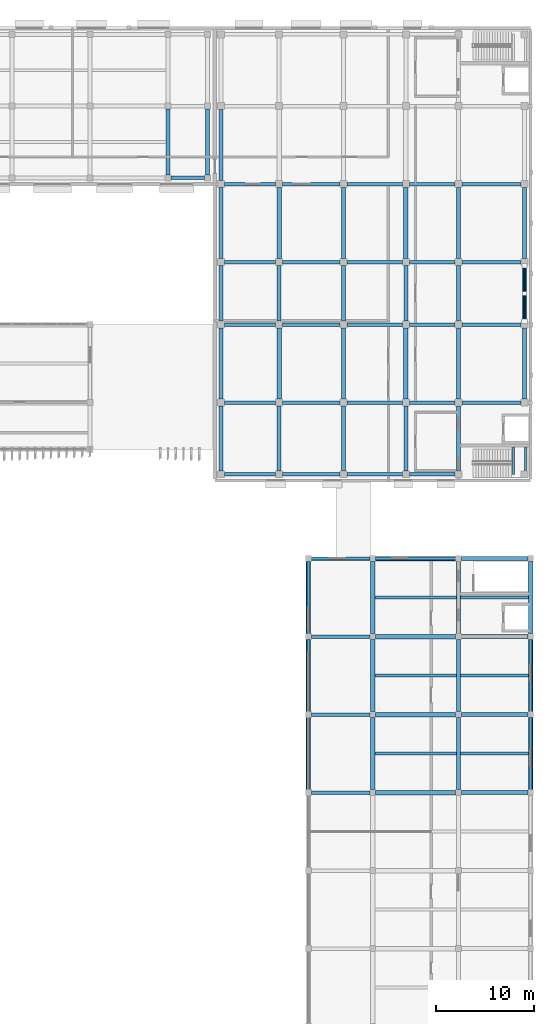
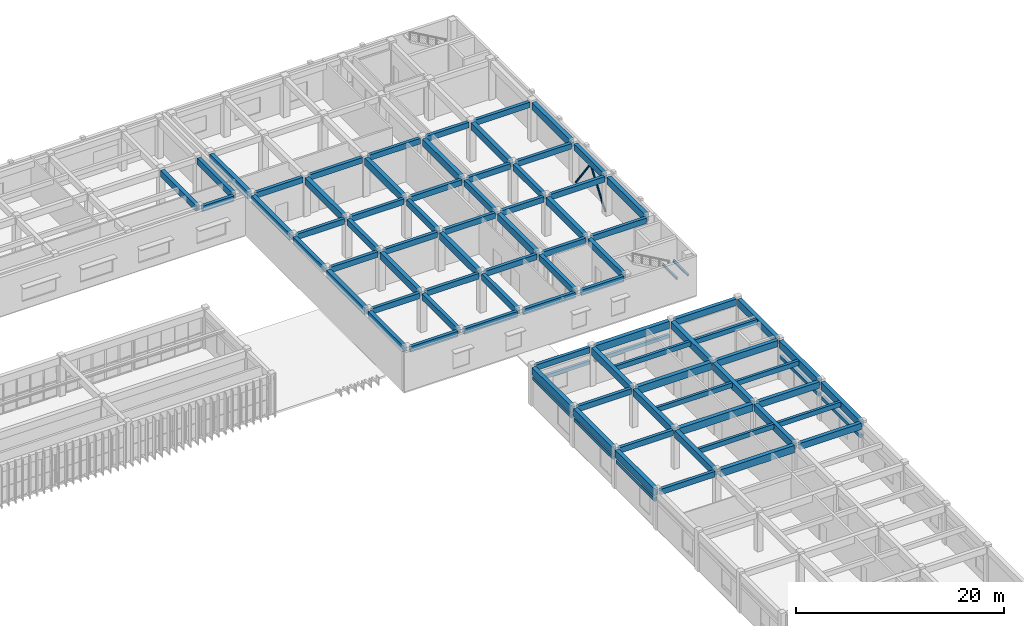
# One storey, part 41 of 76: 90 beams, 2 members.
"""IFC4 building model written with IfcOpenShell, lengths in metres."""

from ifc_helpers import new_model, si_unit, direction, frame, origin, origin_2d, place, context, subcontext, project, spatial, rectangle, hollow_circle, i_section, extrude, material, material_profile, profile_set, type_object, element, save


model = new_model("IFC4")

# Units and contexts
model_context = context("Model", 3, precision=1e-05, world=origin(), true_north=direction((0.0, 1.0)))
body_context = subcontext(model_context, "Body", "Model", "MODEL_VIEW")
ifc_project = project(units=[si_unit("LENGTHUNIT", "METRE"), si_unit("AREAUNIT", "SQUARE_METRE"), si_unit("VOLUMEUNIT", "CUBIC_METRE"), si_unit("PLANEANGLEUNIT", "RADIAN"), si_unit("MASSUNIT", "GRAM", prefix="KILO")], contexts=[model_context])

# Site, building, storey
site_placement = place(None, origin())
site = spatial("IfcSite", under=ifc_project, at=site_placement, CompositionType="ELEMENT")
building_placement = place(site_placement, origin())
building = spatial("IfcBuilding", under=site, at=building_placement, Name="Cinchona Park Media Centre", CompositionType="ELEMENT")
storey_placement = place(building_placement, frame((0.0, 0.0, 15.60009765625)))
storey = spatial("IfcBuildingStorey", under=building, at=storey_placement, Name="L03", CompositionType="ELEMENT", Elevation=15.60009765625)

# Beams
ifc_material_1 = material(Name="Concrete C35/45", Category="concrete")
ifc_material_profile_1 = material_profile(ifc_material_1, rectangle(XDim=0.39990234375, YDim=0.75, at=origin_2d()), Name="RB 400X750")
ifc_profile_set_1 = profile_set([ifc_material_profile_1], Name="Concrete C35/45")
beam_type_1 = type_object("IfcBeamType", Name="BEAM-B01-RB400X750", PredefinedType="BEAM", material=ifc_profile_set_1)
for number, where, z_axis, x_axis, name in (
    (1, (134.800048828125, 102.93994140625, 4.179931640625), (0.0, 1.0, 0.0), (-1.0, 0.0, 0.0), "Girder B01 L03"),
    (2, (138.860107421875, 102.93994140625, 4.179931640625), (0.0, 1.0, 0.0), (-1.0, 0.0, 0.0), "Girder B01 L03"),
):
    element("IfcBeam", number, at=place(storey_placement, frame(where, z_axis=z_axis, x_axis=x_axis)), inside=storey, type_object=beam_type_1, Name=name, PredefinedType="BEAM", context=body_context, shape_type="SweptSolid", body=[
        extrude(rectangle(XDim=0.39990234375, YDim=0.75, at=origin_2d()), origin(), (0.0, 0.0, 1.0), 6.760009765625),
    ])
for number, where, z_axis, x_axis, name in (
    (3, (164.89990234375, 39.60009765625, 4.179931640625), (1.0, 0.0, 0.0), (0.0, 1.0, 0.0), "Beam B01 L03"),
    (4, (164.89990234375, 47.60009765625, 4.179931640625), (1.0, 0.0, 0.0), (0.0, 1.0, 0.0), "Beam B01 L03"),
    (5, (164.89990234375, 55.60009765625, 4.179931640625), (1.0, 0.0, 0.0), (0.0, 1.0, 0.0), "Beam B01 L03"),
    (6, (164.89990234375, 63.60009765625, 4.179931640625), (1.0, 0.0, 0.0), (0.0, 1.0, 0.0), "Beam B01 L03"),
):
    element("IfcBeam", number, at=place(storey_placement, frame(where, z_axis=z_axis, x_axis=x_axis)), inside=storey, type_object=beam_type_1, Name=name, PredefinedType="BEAM", context=body_context, shape_type="SweptSolid", body=[
        extrude(rectangle(XDim=0.39990234375, YDim=0.75, at=origin_2d()), origin(), (0.0, 0.0, 1.0), 6.800048828125),
    ])
beam_1_placement = place(storey_placement, frame((140.239990234375, 72.590087890625, 4.204833984375), z_axis=(0.0, 1.0, 0.0), x_axis=(-1.0, 0.0, 0.0)))
element("IfcBeam", 7, at=beam_1_placement, inside=storey, type_object=beam_type_1, Name="Girder B01 L03", PredefinedType="BEAM", context=body_context, shape_type="SweptSolid", body=[
    extrude(rectangle(XDim=0.39990234375, YDim=0.75, at=origin_2d()), origin(), (0.0, 0.0, 1.0), 6.659912109375),
])
beam_2_placement = place(storey_placement, frame((140.239990234375, 87.949951171875, 4.204833984375), z_axis=(0.0, 1.0, 0.0), x_axis=(-1.0, 0.0, 0.0)))
element("IfcBeam", 8, at=beam_2_placement, inside=storey, type_object=beam_type_1, Name="Girder B01 L03", PredefinedType="BEAM", context=body_context, shape_type="SweptSolid", body=[
    extrude(rectangle(XDim=0.39990234375, YDim=0.75, at=origin_2d()), origin(), (0.0, 0.0, 1.0), 5.699951171875),
])
beam_3_placement = place(storey_placement, frame((146.199951171875, 72.590087890625, 4.204833984375), z_axis=(0.0, 1.0, 0.0), x_axis=(-1.0, 0.0, 0.0)))
element("IfcBeam", 9, at=beam_3_placement, inside=storey, type_object=beam_type_1, Name="Girder B01 L03", PredefinedType="BEAM", context=body_context, shape_type="SweptSolid", body=[
    extrude(rectangle(XDim=0.39990234375, YDim=0.75, at=origin_2d()), origin(), (0.0, 0.0, 1.0), 6.659912109375),
])
beam_4_placement = place(storey_placement, frame((146.199951171875, 87.949951171875, 4.204833984375), z_axis=(0.0, 1.0, 0.0), x_axis=(-1.0, 0.0, 0.0)))
element("IfcBeam", 10, at=beam_4_placement, inside=storey, type_object=beam_type_1, Name="Girder B01 L03", PredefinedType="BEAM", context=body_context, shape_type="SweptSolid", body=[
    extrude(rectangle(XDim=0.39990234375, YDim=0.75, at=origin_2d()), origin(), (0.0, 0.0, 1.0), 5.699951171875),
])
beam_5_placement = place(storey_placement, frame((152.800048828125, 72.590087890625, 4.204833984375), z_axis=(0.0, 1.0, 0.0), x_axis=(-1.0, 0.0, 0.0)))
element("IfcBeam", 11, at=beam_5_placement, inside=storey, type_object=beam_type_1, Name="Girder B01 L03", PredefinedType="BEAM", context=body_context, shape_type="SweptSolid", body=[
    extrude(rectangle(XDim=0.39990234375, YDim=0.75, at=origin_2d()), origin(), (0.0, 0.0, 1.0), 6.659912109375),
])
beam_6_placement = place(storey_placement, frame((152.800048828125, 87.949951171875, 4.204833984375), z_axis=(0.0, 1.0, 0.0), x_axis=(-1.0, 0.0, 0.0)))
element("IfcBeam", 12, at=beam_6_placement, inside=storey, type_object=beam_type_1, Name="Girder B01 L03", PredefinedType="BEAM", context=body_context, shape_type="SweptSolid", body=[
    extrude(rectangle(XDim=0.39990234375, YDim=0.75, at=origin_2d()), origin(), (0.0, 0.0, 1.0), 5.699951171875),
])
beam_7_placement = place(storey_placement, frame((159.199951171875, 72.590087890625, 4.204833984375), z_axis=(0.0, 1.0, 0.0), x_axis=(-1.0, 0.0, 0.0)))
element("IfcBeam", 13, at=beam_7_placement, inside=storey, type_object=beam_type_1, Name="Girder B01 L03", PredefinedType="BEAM", context=body_context, shape_type="SweptSolid", body=[
    extrude(rectangle(XDim=0.39990234375, YDim=0.75, at=origin_2d()), origin(), (0.0, 0.0, 1.0), 6.659912109375),
])
beam_8_placement = place(storey_placement, frame((159.199951171875, 87.949951171875, 4.204833984375), z_axis=(0.0, 1.0, 0.0), x_axis=(-1.0, 0.0, 0.0)))
element("IfcBeam", 14, at=beam_8_placement, inside=storey, type_object=beam_type_1, Name="Girder B01 L03", PredefinedType="BEAM", context=body_context, shape_type="SweptSolid", body=[
    extrude(rectangle(XDim=0.39990234375, YDim=0.75, at=origin_2d()), origin(), (0.0, 0.0, 1.0), 5.699951171875),
])
beam_9_placement = place(storey_placement, frame((164.60009765625, 72.590087890625, 4.204833984375), z_axis=(0.0, 1.0, 0.0), x_axis=(-1.0, 0.0, 0.0)))
element("IfcBeam", 15, at=beam_9_placement, inside=storey, type_object=beam_type_1, Name="Girder B01 L03", PredefinedType="BEAM", context=body_context, shape_type="SweptSolid", body=[
    extrude(rectangle(XDim=0.39990234375, YDim=0.75, at=origin_2d()), origin(), (0.0, 0.0, 1.0), 6.659912109375),
])
for number, where, z_axis, x_axis, name in (
    (16, (164.60009765625, 87.949951171875, 4.204833984375), (0.0, 1.0, 0.0), (-1.0, 0.0, 0.0), "Girder B01 L03"),
    (17, (171.360107421875, 87.949951171875, 4.204833984375), (0.0, 1.0, 0.0), (-1.0, 0.0, 0.0), "Girder B01 L03"),
):
    element("IfcBeam", number, at=place(storey_placement, frame(where, z_axis=z_axis, x_axis=x_axis)), inside=storey, type_object=beam_type_1, Name=name, PredefinedType="BEAM", context=body_context, shape_type="SweptSolid", body=[
        extrude(rectangle(XDim=0.39990234375, YDim=0.75, at=origin_2d()), origin(), (0.0, 0.0, 1.0), 5.699951171875),
    ])
ifc_material_2 = material(Name="Concrete C35/45", Category="concrete")
ifc_material_profile_2 = material_profile(ifc_material_2, rectangle(XDim=0.449951171875, YDim=0.85009765625, at=origin_2d()), Name="RB 450X850")
ifc_profile_set_2 = profile_set([ifc_material_profile_2], Name="Concrete C35/45")
beam_type_2 = type_object("IfcBeamType", Name="BEAM-B02-RB450X850", PredefinedType="BEAM", material=ifc_profile_set_2)
for number, where, z_axis, x_axis, name in (
    (18, (156.10009765625, 39.60009765625, 4.1298828125), (1.0, 0.0, 0.0), (0.0, 1.0, 0.0), "Beam B02 L03"),
    (19, (156.10009765625, 47.60009765625, 4.1298828125), (1.0, 0.0, 0.0), (0.0, 1.0, 0.0), "Beam B02 L03"),
    (20, (156.10009765625, 55.60009765625, 4.1298828125), (1.0, 0.0, 0.0), (0.0, 1.0, 0.0), "Beam B02 L03"),
    (21, (156.10009765625, 63.60009765625, 4.1298828125), (1.0, 0.0, 0.0), (0.0, 1.0, 0.0), "Beam B02 L03"),
):
    element("IfcBeam", number, at=place(storey_placement, frame(where, z_axis=z_axis, x_axis=x_axis)), inside=storey, type_object=beam_type_2, Name=name, PredefinedType="BEAM", context=body_context, shape_type="SweptSolid", body=[
        extrude(rectangle(XDim=0.449951171875, YDim=0.85009765625, at=origin_2d()), origin(), (0.0, 0.0, 1.0), 8.199951171875),
    ])
for number, where, z_axis, x_axis, name in (
    (22, (149.199951171875, 39.89990234375, 4.1298828125), (0.0, 1.0, 0.0), (-1.0, 0.0, 0.0), "Girder B02 L03"),
    (23, (149.199951171875, 47.89990234375, 4.1298828125), (0.0, 1.0, 0.0), (-1.0, 0.0, 0.0), "Girder B02 L03"),
    (24, (149.199951171875, 55.89990234375, 4.1298828125), (0.0, 1.0, 0.0), (-1.0, 0.0, 0.0), "Girder B02 L03"),
    (25, (155.800048828125, 39.89990234375, 4.1298828125), (0.0, 1.0, 0.0), (-1.0, 0.0, 0.0), "Girder B02 L03"),
    (26, (155.800048828125, 47.89990234375, 4.1298828125), (0.0, 1.0, 0.0), (-1.0, 0.0, 0.0), "Girder B02 L03"),
    (27, (155.800048828125, 55.89990234375, 4.1298828125), (0.0, 1.0, 0.0), (-1.0, 0.0, 0.0), "Girder B02 L03"),
    (28, (164.60009765625, 39.89990234375, 4.1298828125), (0.0, 1.0, 0.0), (-1.0, 0.0, 0.0), "Girder B02 L03"),
    (29, (164.60009765625, 47.89990234375, 4.1298828125), (0.0, 1.0, 0.0), (-1.0, 0.0, 0.0), "Girder B02 L03"),
    (30, (164.60009765625, 55.89990234375, 4.1298828125), (0.0, 1.0, 0.0), (-1.0, 0.0, 0.0), "Girder B02 L03"),
    (31, (172.0, 39.89990234375, 4.1298828125), (0.0, 1.0, 0.0), (-1.0, 0.0, 0.0), "Girder B02 L03"),
    (32, (172.0, 47.89990234375, 4.1298828125), (0.0, 1.0, 0.0), (-1.0, 0.0, 0.0), "Girder B02 L03"),
    (33, (172.0, 55.89990234375, 4.1298828125), (0.0, 1.0, 0.0), (-1.0, 0.0, 0.0), "Girder B02 L03"),
):
    element("IfcBeam", number, at=place(storey_placement, frame(where, z_axis=z_axis, x_axis=x_axis)), inside=storey, type_object=beam_type_2, Name=name, PredefinedType="BEAM", context=body_context, shape_type="SweptSolid", body=[
        extrude(rectangle(XDim=0.449951171875, YDim=0.85009765625, at=origin_2d()), origin(), (0.0, 0.0, 1.0), 7.400146484375),
    ])
beam_10_placement = place(storey_placement, frame((140.239990234375, 79.949951171875, 4.15478515625), z_axis=(0.0, 1.0, 0.0), x_axis=(-1.0, 0.0, 0.0)))
element("IfcBeam", 34, at=beam_10_placement, inside=storey, type_object=beam_type_2, Name="Girder B02 L03", PredefinedType="BEAM", context=body_context, shape_type="SweptSolid", body=[
    extrude(rectangle(XDim=0.449951171875, YDim=0.85009765625, at=origin_2d()), origin(), (0.0, 0.0, 1.0), 7.300048828125),
])
for number, where, z_axis, x_axis, name in (
    (35, (140.239990234375, 94.35009765625, 4.15478515625), (0.0, 1.0, 0.0), (-1.0, 0.0, 0.0), "Girder B02 L03"),
    (36, (140.239990234375, 102.35009765625, 4.15478515625), (0.0, 1.0, 0.0), (-1.0, 0.0, 0.0), "Girder B02 L03"),
):
    element("IfcBeam", number, at=place(storey_placement, frame(where, z_axis=z_axis, x_axis=x_axis)), inside=storey, type_object=beam_type_2, Name=name, PredefinedType="BEAM", context=body_context, shape_type="SweptSolid", body=[
        extrude(rectangle(XDim=0.449951171875, YDim=0.85009765625, at=origin_2d()), origin(), (0.0, 0.0, 1.0), 7.2998046875),
    ])
beam_11_placement = place(storey_placement, frame((146.199951171875, 79.949951171875, 4.15478515625), z_axis=(0.0, 1.0, 0.0), x_axis=(-1.0, 0.0, 0.0)))
element("IfcBeam", 37, at=beam_11_placement, inside=storey, type_object=beam_type_2, Name="Girder B02 L03", PredefinedType="BEAM", context=body_context, shape_type="SweptSolid", body=[
    extrude(rectangle(XDim=0.449951171875, YDim=0.85009765625, at=origin_2d()), origin(), (0.0, 0.0, 1.0), 7.300048828125),
])
beam_12_placement = place(storey_placement, frame((146.199951171875, 94.35009765625, 4.15478515625), z_axis=(0.0, 1.0, 0.0), x_axis=(-1.0, 0.0, 0.0)))
element("IfcBeam", 38, at=beam_12_placement, inside=storey, type_object=beam_type_2, Name="Girder B02 L03", PredefinedType="BEAM", context=body_context, shape_type="SweptSolid", body=[
    extrude(rectangle(XDim=0.449951171875, YDim=0.85009765625, at=origin_2d()), origin(), (0.0, 0.0, 1.0), 7.2998046875),
])
beam_13_placement = place(storey_placement, frame((152.800048828125, 79.949951171875, 4.15478515625), z_axis=(0.0, 1.0, 0.0), x_axis=(-1.0, 0.0, 0.0)))
element("IfcBeam", 39, at=beam_13_placement, inside=storey, type_object=beam_type_2, Name="Girder B02 L03", PredefinedType="BEAM", context=body_context, shape_type="SweptSolid", body=[
    extrude(rectangle(XDim=0.449951171875, YDim=0.85009765625, at=origin_2d()), origin(), (0.0, 0.0, 1.0), 7.300048828125),
])
beam_14_placement = place(storey_placement, frame((152.800048828125, 94.35009765625, 4.15478515625), z_axis=(0.0, 1.0, 0.0), x_axis=(-1.0, 0.0, 0.0)))
element("IfcBeam", 40, at=beam_14_placement, inside=storey, type_object=beam_type_2, Name="Girder B02 L03", PredefinedType="BEAM", context=body_context, shape_type="SweptSolid", body=[
    extrude(rectangle(XDim=0.449951171875, YDim=0.85009765625, at=origin_2d()), origin(), (0.0, 0.0, 1.0), 7.2998046875),
])
beam_15_placement = place(storey_placement, frame((159.199951171875, 79.949951171875, 4.15478515625), z_axis=(0.0, 1.0, 0.0), x_axis=(-1.0, 0.0, 0.0)))
element("IfcBeam", 41, at=beam_15_placement, inside=storey, type_object=beam_type_2, Name="Girder B02 L03", PredefinedType="BEAM", context=body_context, shape_type="SweptSolid", body=[
    extrude(rectangle(XDim=0.449951171875, YDim=0.85009765625, at=origin_2d()), origin(), (0.0, 0.0, 1.0), 7.300048828125),
])
beam_16_placement = place(storey_placement, frame((159.199951171875, 94.35009765625, 4.15478515625), z_axis=(0.0, 1.0, 0.0), x_axis=(-1.0, 0.0, 0.0)))
element("IfcBeam", 42, at=beam_16_placement, inside=storey, type_object=beam_type_2, Name="Girder B02 L03", PredefinedType="BEAM", context=body_context, shape_type="SweptSolid", body=[
    extrude(rectangle(XDim=0.449951171875, YDim=0.85009765625, at=origin_2d()), origin(), (0.0, 0.0, 1.0), 7.2998046875),
])
beam_17_placement = place(storey_placement, frame((164.60009765625, 79.949951171875, 4.15478515625), z_axis=(0.0, 1.0, 0.0), x_axis=(-1.0, 0.0, 0.0)))
element("IfcBeam", 43, at=beam_17_placement, inside=storey, type_object=beam_type_2, Name="Girder B02 L03", PredefinedType="BEAM", context=body_context, shape_type="SweptSolid", body=[
    extrude(rectangle(XDim=0.449951171875, YDim=0.85009765625, at=origin_2d()), origin(), (0.0, 0.0, 1.0), 7.300048828125),
])
beam_18_placement = place(storey_placement, frame((164.60009765625, 94.35009765625, 4.15478515625), z_axis=(0.0, 1.0, 0.0), x_axis=(-1.0, 0.0, 0.0)))
element("IfcBeam", 44, at=beam_18_placement, inside=storey, type_object=beam_type_2, Name="Girder B02 L03", PredefinedType="BEAM", context=body_context, shape_type="SweptSolid", body=[
    extrude(rectangle(XDim=0.449951171875, YDim=0.85009765625, at=origin_2d()), origin(), (0.0, 0.0, 1.0), 7.2998046875),
])
beam_19_placement = place(storey_placement, frame((171.360107421875, 79.949951171875, 4.15478515625), z_axis=(0.0, 1.0, 0.0), x_axis=(-1.0, 0.0, 0.0)))
element("IfcBeam", 45, at=beam_19_placement, inside=storey, type_object=beam_type_2, Name="Girder B02 L03", PredefinedType="BEAM", context=body_context, shape_type="SweptSolid", body=[
    extrude(rectangle(XDim=0.449951171875, YDim=0.85009765625, at=origin_2d()), origin(), (0.0, 0.0, 1.0), 7.300048828125),
])
beam_20_placement = place(storey_placement, frame((171.360107421875, 94.35009765625, 4.15478515625), z_axis=(0.0, 1.0, 0.0), x_axis=(-1.0, 0.0, 0.0)))
element("IfcBeam", 46, at=beam_20_placement, inside=storey, type_object=beam_type_2, Name="Girder B02 L03", PredefinedType="BEAM", context=body_context, shape_type="SweptSolid", body=[
    extrude(rectangle(XDim=0.449951171875, YDim=0.85009765625, at=origin_2d()), origin(), (0.0, 0.0, 1.0), 7.2998046875),
])
ifc_material_3 = material(Name="Concrete C35/45", Category="concrete")
ifc_material_profile_3 = material_profile(ifc_material_3, rectangle(XDim=0.35009765625, YDim=0.64990234375, at=origin_2d()), Name="RB 350X650")
ifc_profile_set_3 = profile_set([ifc_material_profile_3], Name="Concrete C35/45")
beam_type_3 = type_object("IfcBeamType", Name="BEAM-B04-RB350X650", PredefinedType="BEAM", material=ifc_profile_set_3)
beam_21_placement = place(storey_placement, frame((135.10009765625, 102.639892578125, 4.22998046875), z_axis=(1.0, 0.0, 0.0), x_axis=(0.0, 1.0, 0.0)))
element("IfcBeam", 47, at=beam_21_placement, inside=storey, type_object=beam_type_3, Name="Beam B04 L03", PredefinedType="BEAM", context=body_context, shape_type="SweptSolid", body=[
    extrude(rectangle(XDim=0.35009765625, YDim=0.64990234375, at=origin_2d()), origin(), (0.0, 0.0, 1.0), 3.4599609375),
])
for number, where, z_axis, x_axis, name in (
    (48, (149.5, 39.60009765625, 4.22998046875), (1.0, 0.0, 0.0), (0.0, 1.0, 0.0), "Beam B04 L03"),
    (49, (149.5, 47.60009765625, 4.22998046875), (1.0, 0.0, 0.0), (0.0, 1.0, 0.0), "Beam B04 L03"),
    (50, (149.5, 55.60009765625, 4.22998046875), (1.0, 0.0, 0.0), (0.0, 1.0, 0.0), "Beam B04 L03"),
    (51, (149.5, 63.60009765625, 4.22998046875), (1.0, 0.0, 0.0), (0.0, 1.0, 0.0), "Beam B04 L03"),
):
    element("IfcBeam", number, at=place(storey_placement, frame(where, z_axis=z_axis, x_axis=x_axis)), inside=storey, type_object=beam_type_3, Name=name, PredefinedType="BEAM", context=body_context, shape_type="SweptSolid", body=[
        extrude(rectangle(XDim=0.35009765625, YDim=0.64990234375, at=origin_2d()), origin(), (0.0, 0.0, 1.0), 6.0),
    ])
beam_22_placement = place(storey_placement, frame((140.590087890625, 72.239990234375, 4.2548828125), z_axis=(1.0, 0.0, 0.0), x_axis=(0.0, 1.0, 0.0)))
element("IfcBeam", 52, at=beam_22_placement, inside=storey, type_object=beam_type_3, Name="Beam B04 L03", PredefinedType="BEAM", context=body_context, shape_type="SweptSolid", body=[
    extrude(rectangle(XDim=0.35009765625, YDim=0.64990234375, at=origin_2d()), origin(), (0.0, 0.0, 1.0), 5.260009765625),
])
beam_23_placement = place(storey_placement, frame((146.550048828125, 72.239990234375, 4.2548828125), z_axis=(1.0, 0.0, 0.0), x_axis=(0.0, 1.0, 0.0)))
element("IfcBeam", 53, at=beam_23_placement, inside=storey, type_object=beam_type_3, Name="Beam B04 L03", PredefinedType="BEAM", context=body_context, shape_type="SweptSolid", body=[
    extrude(rectangle(XDim=0.35009765625, YDim=0.64990234375, at=origin_2d()), origin(), (0.0, 0.0, 1.0), 5.89990234375),
])
beam_24_placement = place(storey_placement, frame((153.14990234375, 72.239990234375, 4.2548828125), z_axis=(1.0, 0.0, 0.0), x_axis=(0.0, 1.0, 0.0)))
element("IfcBeam", 54, at=beam_24_placement, inside=storey, type_object=beam_type_3, Name="Beam B04 L03", PredefinedType="BEAM", context=body_context, shape_type="SweptSolid", body=[
    extrude(rectangle(XDim=0.35009765625, YDim=0.64990234375, at=origin_2d()), origin(), (0.0, 0.0, 1.0), 5.7001953125),
])
beam_25_placement = place(storey_placement, frame((159.550048828125, 72.239990234375, 4.2548828125), z_axis=(1.0, 0.0, 0.0), x_axis=(0.0, 1.0, 0.0)))
element("IfcBeam", 55, at=beam_25_placement, inside=storey, type_object=beam_type_3, Name="Beam B04 L03", PredefinedType="BEAM", context=body_context, shape_type="SweptSolid", body=[
    extrude(rectangle(XDim=0.35009765625, YDim=0.64990234375, at=origin_2d()), origin(), (0.0, 0.0, 1.0), 4.699951171875),
])
beam_26_placement = place(storey_placement, frame((140.590087890625, 79.60009765625, 4.2548828125), z_axis=(1.0, 0.0, 0.0), x_axis=(0.0, 1.0, 0.0)))
element("IfcBeam", 56, at=beam_26_placement, inside=storey, type_object=beam_type_3, Name="Beam B04 L03", PredefinedType="BEAM", context=body_context, shape_type="SweptSolid", body=[
    extrude(rectangle(XDim=0.35009765625, YDim=0.64990234375, at=origin_2d()), origin(), (0.0, 0.0, 1.0), 5.260009765625),
])
beam_27_placement = place(storey_placement, frame((146.550048828125, 79.60009765625, 4.2548828125), z_axis=(1.0, 0.0, 0.0), x_axis=(0.0, 1.0, 0.0)))
element("IfcBeam", 57, at=beam_27_placement, inside=storey, type_object=beam_type_3, Name="Beam B04 L03", PredefinedType="BEAM", context=body_context, shape_type="SweptSolid", body=[
    extrude(rectangle(XDim=0.35009765625, YDim=0.64990234375, at=origin_2d()), origin(), (0.0, 0.0, 1.0), 5.89990234375),
])
beam_28_placement = place(storey_placement, frame((153.14990234375, 79.60009765625, 4.2548828125), z_axis=(1.0, 0.0, 0.0), x_axis=(0.0, 1.0, 0.0)))
element("IfcBeam", 58, at=beam_28_placement, inside=storey, type_object=beam_type_3, Name="Beam B04 L03", PredefinedType="BEAM", context=body_context, shape_type="SweptSolid", body=[
    extrude(rectangle(XDim=0.35009765625, YDim=0.64990234375, at=origin_2d()), origin(), (0.0, 0.0, 1.0), 5.7001953125),
])
beam_29_placement = place(storey_placement, frame((159.550048828125, 79.60009765625, 4.2548828125), z_axis=(1.0, 0.0, 0.0), x_axis=(0.0, 1.0, 0.0)))
element("IfcBeam", 59, at=beam_29_placement, inside=storey, type_object=beam_type_3, Name="Beam B04 L03", PredefinedType="BEAM", context=body_context, shape_type="SweptSolid", body=[
    extrude(rectangle(XDim=0.35009765625, YDim=0.64990234375, at=origin_2d()), origin(), (0.0, 0.0, 1.0), 4.699951171875),
])
beam_30_placement = place(storey_placement, frame((164.949951171875, 79.60009765625, 4.2548828125), z_axis=(1.0, 0.0, 0.0), x_axis=(0.0, 1.0, 0.0)))
element("IfcBeam", 60, at=beam_30_placement, inside=storey, type_object=beam_type_3, Name="Beam B04 L03", PredefinedType="BEAM", context=body_context, shape_type="SweptSolid", body=[
    extrude(rectangle(XDim=0.35009765625, YDim=0.64990234375, at=origin_2d()), origin(), (0.0, 0.0, 1.0), 6.06005859375),
])
beam_31_placement = place(storey_placement, frame((140.590087890625, 87.60009765625, 4.2548828125), z_axis=(1.0, 0.0, 0.0), x_axis=(0.0, 1.0, 0.0)))
element("IfcBeam", 61, at=beam_31_placement, inside=storey, type_object=beam_type_3, Name="Beam B04 L03", PredefinedType="BEAM", context=body_context, shape_type="SweptSolid", body=[
    extrude(rectangle(XDim=0.35009765625, YDim=0.64990234375, at=origin_2d()), origin(), (0.0, 0.0, 1.0), 5.260009765625),
])
beam_32_placement = place(storey_placement, frame((146.550048828125, 87.60009765625, 4.2548828125), z_axis=(1.0, 0.0, 0.0), x_axis=(0.0, 1.0, 0.0)))
element("IfcBeam", 62, at=beam_32_placement, inside=storey, type_object=beam_type_3, Name="Beam B04 L03", PredefinedType="BEAM", context=body_context, shape_type="SweptSolid", body=[
    extrude(rectangle(XDim=0.35009765625, YDim=0.64990234375, at=origin_2d()), origin(), (0.0, 0.0, 1.0), 5.89990234375),
])
beam_33_placement = place(storey_placement, frame((153.14990234375, 87.60009765625, 4.2548828125), z_axis=(1.0, 0.0, 0.0), x_axis=(0.0, 1.0, 0.0)))
element("IfcBeam", 63, at=beam_33_placement, inside=storey, type_object=beam_type_3, Name="Beam B04 L03", PredefinedType="BEAM", context=body_context, shape_type="SweptSolid", body=[
    extrude(rectangle(XDim=0.35009765625, YDim=0.64990234375, at=origin_2d()), origin(), (0.0, 0.0, 1.0), 5.7001953125),
])
beam_34_placement = place(storey_placement, frame((159.550048828125, 87.60009765625, 4.2548828125), z_axis=(1.0, 0.0, 0.0), x_axis=(0.0, 1.0, 0.0)))
element("IfcBeam", 64, at=beam_34_placement, inside=storey, type_object=beam_type_3, Name="Beam B04 L03", PredefinedType="BEAM", context=body_context, shape_type="SweptSolid", body=[
    extrude(rectangle(XDim=0.35009765625, YDim=0.64990234375, at=origin_2d()), origin(), (0.0, 0.0, 1.0), 4.699951171875),
])
beam_35_placement = place(storey_placement, frame((164.949951171875, 87.60009765625, 4.2548828125), z_axis=(1.0, 0.0, 0.0), x_axis=(0.0, 1.0, 0.0)))
element("IfcBeam", 65, at=beam_35_placement, inside=storey, type_object=beam_type_3, Name="Beam B04 L03", PredefinedType="BEAM", context=body_context, shape_type="SweptSolid", body=[
    extrude(rectangle(XDim=0.35009765625, YDim=0.64990234375, at=origin_2d()), origin(), (0.0, 0.0, 1.0), 6.06005859375),
])
beam_36_placement = place(storey_placement, frame((140.590087890625, 94.0, 4.2548828125), z_axis=(1.0, 0.0, 0.0), x_axis=(0.0, 1.0, 0.0)))
element("IfcBeam", 66, at=beam_36_placement, inside=storey, type_object=beam_type_3, Name="Beam B04 L03", PredefinedType="BEAM", context=body_context, shape_type="SweptSolid", body=[
    extrude(rectangle(XDim=0.35009765625, YDim=0.64990234375, at=origin_2d()), origin(), (0.0, 0.0, 1.0), 5.260009765625),
])
beam_37_placement = place(storey_placement, frame((146.550048828125, 94.0, 4.2548828125), z_axis=(1.0, 0.0, 0.0), x_axis=(0.0, 1.0, 0.0)))
element("IfcBeam", 67, at=beam_37_placement, inside=storey, type_object=beam_type_3, Name="Beam B04 L03", PredefinedType="BEAM", context=body_context, shape_type="SweptSolid", body=[
    extrude(rectangle(XDim=0.35009765625, YDim=0.64990234375, at=origin_2d()), origin(), (0.0, 0.0, 1.0), 5.89990234375),
])
beam_38_placement = place(storey_placement, frame((153.14990234375, 94.0, 4.2548828125), z_axis=(1.0, 0.0, 0.0), x_axis=(0.0, 1.0, 0.0)))
element("IfcBeam", 68, at=beam_38_placement, inside=storey, type_object=beam_type_3, Name="Beam B04 L03", PredefinedType="BEAM", context=body_context, shape_type="SweptSolid", body=[
    extrude(rectangle(XDim=0.35009765625, YDim=0.64990234375, at=origin_2d()), origin(), (0.0, 0.0, 1.0), 5.7001953125),
])
beam_39_placement = place(storey_placement, frame((159.550048828125, 94.0, 4.2548828125), z_axis=(1.0, 0.0, 0.0), x_axis=(0.0, 1.0, 0.0)))
element("IfcBeam", 69, at=beam_39_placement, inside=storey, type_object=beam_type_3, Name="Beam B04 L03", PredefinedType="BEAM", context=body_context, shape_type="SweptSolid", body=[
    extrude(rectangle(XDim=0.35009765625, YDim=0.64990234375, at=origin_2d()), origin(), (0.0, 0.0, 1.0), 4.699951171875),
])
beam_40_placement = place(storey_placement, frame((164.949951171875, 94.0, 4.2548828125), z_axis=(1.0, 0.0, 0.0), x_axis=(0.0, 1.0, 0.0)))
element("IfcBeam", 70, at=beam_40_placement, inside=storey, type_object=beam_type_3, Name="Beam B04 L03", PredefinedType="BEAM", context=body_context, shape_type="SweptSolid", body=[
    extrude(rectangle(XDim=0.35009765625, YDim=0.64990234375, at=origin_2d()), origin(), (0.0, 0.0, 1.0), 6.06005859375),
])
beam_41_placement = place(storey_placement, frame((140.590087890625, 102.0, 4.2548828125), z_axis=(1.0, 0.0, 0.0), x_axis=(0.0, 1.0, 0.0)))
element("IfcBeam", 71, at=beam_41_placement, inside=storey, type_object=beam_type_3, Name="Beam B04 L03", PredefinedType="BEAM", context=body_context, shape_type="SweptSolid", body=[
    extrude(rectangle(XDim=0.35009765625, YDim=0.64990234375, at=origin_2d()), origin(), (0.0, 0.0, 1.0), 5.260009765625),
])
beam_42_placement = place(storey_placement, frame((146.550048828125, 102.0, 4.2548828125), z_axis=(1.0, 0.0, 0.0), x_axis=(0.0, 1.0, 0.0)))
element("IfcBeam", 72, at=beam_42_placement, inside=storey, type_object=beam_type_3, Name="Beam B04 L03", PredefinedType="BEAM", context=body_context, shape_type="SweptSolid", body=[
    extrude(rectangle(XDim=0.35009765625, YDim=0.64990234375, at=origin_2d()), origin(), (0.0, 0.0, 1.0), 5.89990234375),
])
beam_43_placement = place(storey_placement, frame((153.14990234375, 102.0, 4.2548828125), z_axis=(1.0, 0.0, 0.0), x_axis=(0.0, 1.0, 0.0)))
element("IfcBeam", 73, at=beam_43_placement, inside=storey, type_object=beam_type_3, Name="Beam B04 L03", PredefinedType="BEAM", context=body_context, shape_type="SweptSolid", body=[
    extrude(rectangle(XDim=0.35009765625, YDim=0.64990234375, at=origin_2d()), origin(), (0.0, 0.0, 1.0), 5.7001953125),
])
beam_44_placement = place(storey_placement, frame((159.550048828125, 102.0, 4.2548828125), z_axis=(1.0, 0.0, 0.0), x_axis=(0.0, 1.0, 0.0)))
element("IfcBeam", 74, at=beam_44_placement, inside=storey, type_object=beam_type_3, Name="Beam B04 L03", PredefinedType="BEAM", context=body_context, shape_type="SweptSolid", body=[
    extrude(rectangle(XDim=0.35009765625, YDim=0.64990234375, at=origin_2d()), origin(), (0.0, 0.0, 1.0), 4.699951171875),
])
beam_45_placement = place(storey_placement, frame((164.949951171875, 102.0, 4.2548828125), z_axis=(1.0, 0.0, 0.0), x_axis=(0.0, 1.0, 0.0)))
element("IfcBeam", 75, at=beam_45_placement, inside=storey, type_object=beam_type_3, Name="Beam B04 L03", PredefinedType="BEAM", context=body_context, shape_type="SweptSolid", body=[
    extrude(rectangle(XDim=0.35009765625, YDim=0.64990234375, at=origin_2d()), origin(), (0.0, 0.0, 1.0), 6.06005859375),
])
ifc_material_4 = material(Name="Steel S355", Category="steel")
ifc_material_profile_4 = material_profile(ifc_material_4, i_section(OverallWidth=0.202880859375, OverallDepth=0.202880859375, WebThickness=0.007080078125, FlangeThickness=0.010986328125, at=origin_2d()), Name="W200X46")
ifc_profile_set_4 = profile_set([ifc_material_profile_4], Name="Steel S355")
beam_type_4 = type_object("IfcBeamType", Name="BEAM-B10-W200X46", PredefinedType="BEAM", material=ifc_profile_set_4)
for number, where, z_axis, x_axis, name in (
    (76, (170.239990234375, 75.044921875, 2.093505859375), (0.0, -1.0, 0.0), (1.0, 0.0, 0.0), "Stair Landing Bearer Beam B10 ST1 L03"),
    (77, (171.4599609375, 75.044921875, 2.093505859375), (0.0, -1.0, 0.0), (1.0, 0.0, 0.0), "Stair Landing Bearer Beam B10 ST1 L03"),
):
    element("IfcBeam", number, at=place(storey_placement, frame(where, z_axis=z_axis, x_axis=x_axis)), inside=storey, type_object=beam_type_4, Name=name, PredefinedType="BEAM", context=body_context, shape_type="SweptSolid", body=[
        extrude(i_section(OverallWidth=0.202880859375, OverallDepth=0.202880859375, WebThickness=0.007080078125, FlangeThickness=0.010986328125, at=origin_2d()), origin(), (0.0, 0.0, 1.0), 2.844970703125),
    ])
ifc_material_5 = material(Name="Concrete C35/45", Category="concrete")
ifc_material_profile_5 = material_profile(ifc_material_5, rectangle(XDim=0.300048828125, YDim=0.550048828125, at=origin_2d()), Name="RB 300X550")
ifc_profile_set_5 = profile_set([ifc_material_profile_5], Name="Concrete C35/45")
beam_type_5 = type_object("IfcBeamType", Name="BEAM-J01-RB300X550", PredefinedType="JOIST", material=ifc_profile_set_5)
for number, where, z_axis, x_axis, name in (
    (78, (156.02490234375, 43.60009765625, 4.27978515625), (1.0, 0.0, 0.0), (0.0, 1.0, 0.0), "Floor Joist J01 L03"),
    (79, (156.02490234375, 51.60009765625, 4.27978515625), (1.0, 0.0, 0.0), (0.0, 1.0, 0.0), "Floor Joist J01 L03"),
    (80, (156.02490234375, 59.60009765625, 4.27978515625), (1.0, 0.0, 0.0), (0.0, 1.0, 0.0), "Floor Joist J01 L03"),
):
    element("IfcBeam", number, at=place(storey_placement, frame(where, z_axis=z_axis, x_axis=x_axis)), inside=storey, type_object=beam_type_5, Name=name, PredefinedType="JOIST", context=body_context, shape_type="SweptSolid", body=[
        extrude(rectangle(XDim=0.300048828125, YDim=0.550048828125, at=origin_2d()), origin(), (0.0, 0.0, 1.0), 8.35009765625),
    ])
for number, where, z_axis, x_axis, name in (
    (81, (164.824951171875, 43.60009765625, 4.27978515625), (1.0, 0.0, 0.0), (0.0, 1.0, 0.0), "Floor Joist J01 L03"),
    (82, (164.824951171875, 51.60009765625, 4.27978515625), (1.0, 0.0, 0.0), (0.0, 1.0, 0.0), "Floor Joist J01 L03"),
    (83, (164.824951171875, 59.60009765625, 4.27978515625), (1.0, 0.0, 0.0), (0.0, 1.0, 0.0), "Floor Joist J01 L03"),
):
    element("IfcBeam", number, at=place(storey_placement, frame(where, z_axis=z_axis, x_axis=x_axis)), inside=storey, type_object=beam_type_5, Name=name, PredefinedType="JOIST", context=body_context, shape_type="SweptSolid", body=[
        extrude(rectangle(XDim=0.300048828125, YDim=0.550048828125, at=origin_2d()), origin(), (0.0, 0.0, 1.0), 6.949951171875),
    ])
ifc_material_6 = material(Name="Concrete C35/45", Category="concrete")
ifc_material_profile_6 = material_profile(ifc_material_6, rectangle(XDim=0.300048828125, YDim=0.39990234375, at=origin_2d()), Name="RL 300X400")
ifc_profile_set_6 = profile_set([ifc_material_profile_6], Name="Concrete C35/45")
beam_type_6 = type_object("IfcBeamType", Name="BEAM-LN02-RL300X400", PredefinedType="LINTEL", material=ifc_profile_set_6)
for number, where, z_axis, x_axis, name in (
    (84, (149.199951171875, 39.8798828125, 3.199951171875), (0.0, 1.0, 0.0), (-1.0, 0.0, 0.0), "Window Lintel LN02"),
    (85, (149.199951171875, 47.8798828125, 3.25), (0.0, 1.0, 0.0), (-1.0, 0.0, 0.0), "Window Lintel LN02"),
    (86, (149.199951171875, 55.8798828125, 3.25), (0.0, 1.0, 0.0), (-1.0, 0.0, 0.0), "Window Lintel LN02"),
):
    element("IfcBeam", number, at=place(storey_placement, frame(where, z_axis=z_axis, x_axis=x_axis)), inside=storey, type_object=beam_type_6, Name=name, PredefinedType="LINTEL", context=body_context, shape_type="SweptSolid", body=[
        extrude(rectangle(XDim=0.300048828125, YDim=0.39990234375, at=origin_2d()), origin(), (0.0, 0.0, 1.0), 7.440185546875),
    ])
beam_46_placement = place(storey_placement, frame((149.47998046875, 63.60009765625, 2.75), z_axis=(1.0, 0.0, 0.0), x_axis=(0.0, 1.0, 0.0)))
element("IfcBeam", 87, at=beam_46_placement, inside=storey, type_object=beam_type_6, Name="Window Lintel LN02", PredefinedType="LINTEL", context=body_context, shape_type="SweptSolid", body=[
    extrude(rectangle(XDim=0.300048828125, YDim=0.39990234375, at=origin_2d()), origin(), (0.0, 0.0, 1.0), 6.0400390625),
])
beam_47_placement = place(storey_placement, frame((156.080078125, 63.60009765625, 2.75), z_axis=(1.0, 0.0, 0.0), x_axis=(0.0, 1.0, 0.0)))
element("IfcBeam", 88, at=beam_47_placement, inside=storey, type_object=beam_type_6, Name="Window Lintel LN02", PredefinedType="LINTEL", context=body_context, shape_type="SweptSolid", body=[
    extrude(rectangle(XDim=0.300048828125, YDim=0.39990234375, at=origin_2d()), origin(), (0.0, 0.0, 1.0), 8.239990234375),
])
for number, where, z_axis, x_axis, name in (
    (89, (172.0, 55.320068359375, 2.64990234375), (0.0, -1.0, 0.0), (1.0, 0.0, 0.0), "Window Lintel LN02"),
    (90, (172.0, 47.320068359375, 2.64990234375), (0.0, -1.0, 0.0), (1.0, 0.0, 0.0), "Window Lintel LN02"),
):
    element("IfcBeam", number, at=place(storey_placement, frame(where, z_axis=z_axis, x_axis=x_axis)), inside=storey, type_object=beam_type_6, Name=name, PredefinedType="LINTEL", context=body_context, shape_type="SweptSolid", body=[
        extrude(rectangle(XDim=0.300048828125, YDim=0.39990234375, at=origin_2d()), origin(), (0.0, 0.0, 1.0), 7.440185546875),
    ])

# Members
ifc_material_7 = material(Name="Steel S355", Category="steel")
ifc_material_profile_7 = material_profile(ifc_material_7, hollow_circle(Radius=0.109619140625, WallThickness=0.012451171875, at=origin_2d()), Name="219.1X12.5CHS")
ifc_profile_set_7 = profile_set([ifc_material_profile_7], Name="Steel S355")
member_type = type_object("IfcMemberType", Name="MEMBER-BR02-CHS219.1X12.5", PredefinedType="BRACE", material=ifc_profile_set_7)
for number, where, z_axis, x_axis, name in (
    (91, (171.360107421875, 87.955078125, 0.0048828125), (0.0, 0.591810519906, 0.806077110783), (-1.0, 0.0, 0.0), "Vertical Chevron Brace BR02 L03"),
    (92, (171.360107421875, 93.64501953125, 0.0048828125), (0.0, -0.591810519906, 0.806077110783), (1.0, 0.0, 0.0), "Vertical Chevron Brace BR02 L03"),
):
    element("IfcMember", number, at=place(storey_placement, frame(where, z_axis=z_axis, x_axis=x_axis)), inside=storey, type_object=member_type, Name=name, PredefinedType="BRACE", context=body_context, shape_type="SweptSolid", body=[
        extrude(hollow_circle(Radius=0.109619140625, WallThickness=0.012451171875, at=origin_2d()), origin(), (0.0, 0.0, 1.0), 4.80712890625),
    ])

save(model, "model.ifc")
